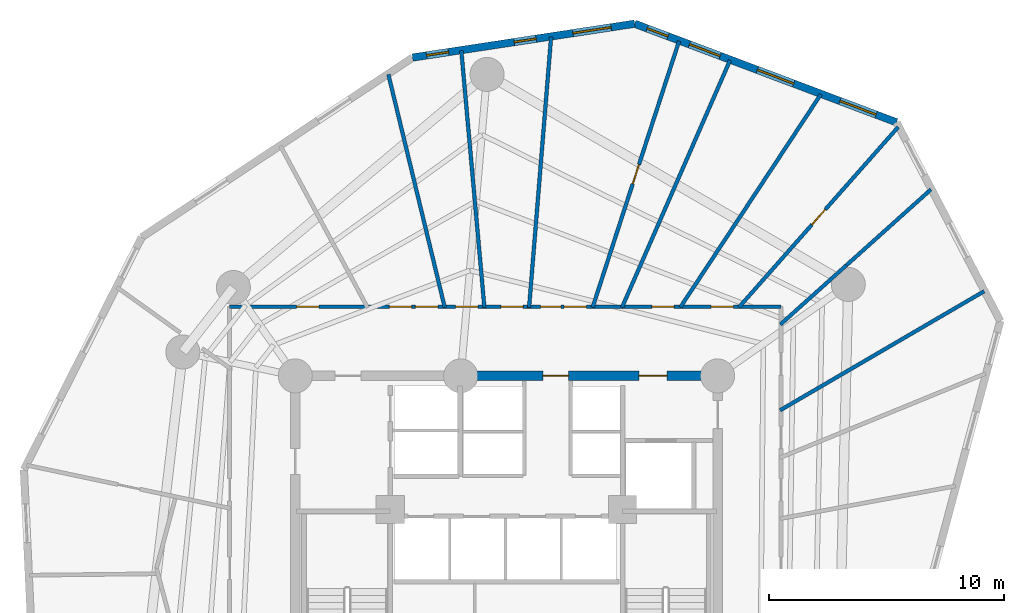
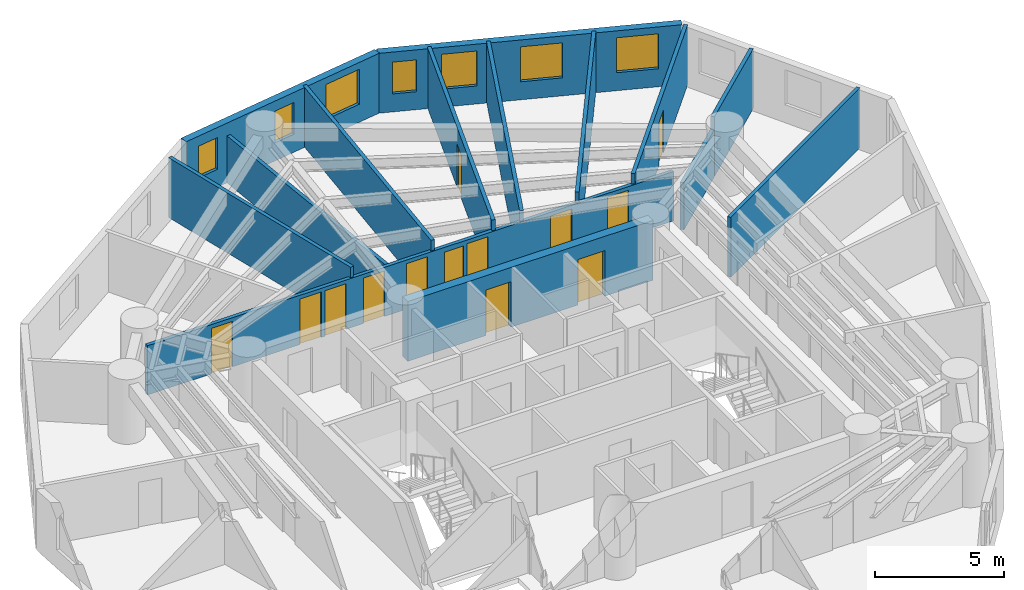
# One storey, part 6 of 8: 14 walls, 13 doors, 7 windows, 20 openings.
"""IFC4 building model written with IfcOpenShell, lengths in metres."""

from ifc_helpers import new_model, si_unit, direction, frame, frame_2d, origin, origin_with_axes, place, context, subcontext, project, spatial, rectangle, extrude, source, transform, mapped, material, layer, layer_set, type_object, element, fill, save


model = new_model("IFC4")

# Units and contexts
model_context = context("Model", 3, precision=1e-05, world=origin(), true_north=direction((0.0, 1.0)))
body_context = subcontext(model_context, "Body", "Model", "MODEL_VIEW")
ifc_project = project(units=[si_unit("LENGTHUNIT", "METRE"), si_unit("AREAUNIT", "SQUARE_METRE"), si_unit("VOLUMEUNIT", "CUBIC_METRE"), si_unit("PLANEANGLEUNIT", "RADIAN"), si_unit("MASSUNIT", "GRAM", prefix="KILO")], contexts=[model_context])

# Site, building, storey
site_placement = place(None, origin())
site = spatial("IfcSite", under=ifc_project, at=site_placement, CompositionType="ELEMENT")
building_placement = place(site_placement, origin())
building = spatial("IfcBuilding", under=site, at=building_placement, Name="Karkom Vertical University and Central Library", CompositionType="ELEMENT")
storey_placement = place(building_placement, frame((0.0, 0.0, 120.60009765625)))
storey = spatial("IfcBuildingStorey", under=building, at=storey_placement, Name="L33", CompositionType="ELEMENT", Elevation=120.60009765625)

# Wall, openings, windows
ifc_material_1 = material(Name="Brick-faced precast concrete C45/55", Category="masonry")
ifc_layer_1 = layer(ifc_material_1, 0.320068359375)
ifc_layer_set_1 = layer_set([ifc_layer_1], Name="Brick-faced precast concrete C45/55")
wall_type_1 = type_object("IfcWallType", Name="ENV-WL-BRK-320", PredefinedType="SOLIDWALL", material=ifc_layer_set_1)
wall_1_placement = place(storey_placement, frame((45.12890625, 45.510009765625, 0.0), z_axis=(0.0, 0.0, 1.0), x_axis=(-0.935899501217, 0.352267119701, 0.0)))
wall_1 = element("IfcWall", 1, at=wall_1_placement, inside=storey, type_object=wall_type_1, Name="Level 33 Brick-Faced Precast Facade Wall 10", PredefinedType="SOLIDWALL", context=body_context, shape_type="SweptSolid", body=[
    extrude(rectangle(XDim=11.92822265625, YDim=0.320068359375, at=frame_2d((5.964111328125, 0.0))), origin(), (0.0, 0.0, 1.0), 2.824951171875),
])
opening_1_placement = place(wall_1_placement, frame((0.9296875, 0.0, 0.85009765625)))
opening_1 = element("IfcOpeningElement", 2, at=opening_1_placement, cuts=wall_1, Name="Opening WN-06", PredefinedType="OPENING", context=body_context, shape_type="SweptSolid", body=[
    extrude(rectangle(XDim=1.64990234375, YDim=1.64990234375, at=frame_2d((0.824951171875, 0.824951171875))), frame((0.0, 0.169921875, 0.0), z_axis=(0.0, -1.0, 0.0), x_axis=(1.0, 0.0, 0.0)), (0.0, 0.0, 1.0), 0.340087890625),
])
opening_2_placement = place(wall_1_placement, frame((4.687744140625, 0.0, 0.85009765625)))
opening_2 = element("IfcOpeningElement", 3, at=opening_2_placement, cuts=wall_1, Name="Opening WN-06", PredefinedType="OPENING", context=body_context, shape_type="SweptSolid", body=[
    extrude(rectangle(XDim=1.64990234375, YDim=1.64990234375, at=frame_2d((0.824951171875, 0.824951171875))), frame((0.0, 0.169921875, 0.0), z_axis=(0.0, -1.0, 0.0), x_axis=(1.0, 0.0, 0.0)), (0.0, 0.0, 1.0), 0.340087890625),
])
opening_3_placement = place(wall_1_placement, frame((8.03515625, 0.0, 0.85009765625)))
opening_3 = element("IfcOpeningElement", 4, at=opening_3_placement, cuts=wall_1, Name="Opening WN-07", PredefinedType="OPENING", context=body_context, shape_type="SweptSolid", body=[
    extrude(rectangle(XDim=1.39990234375, YDim=1.64990234375, at=frame_2d((0.699951171875, 0.824951171875))), frame((0.0, 0.169921875, 0.0), z_axis=(0.0, -1.0, 0.0), x_axis=(1.0, 0.0, 0.0)), (0.0, 0.0, 1.0), 0.340087890625),
])
opening_4_placement = place(wall_1_placement, frame((10.406005859375, 0.0, 0.85009765625)))
opening_4 = element("IfcOpeningElement", 5, at=opening_4_placement, cuts=wall_1, Name="Opening WN-12", PredefinedType="OPENING", context=body_context, shape_type="SweptSolid", body=[
    extrude(rectangle(XDim=0.949951171875, YDim=1.5, at=frame_2d((0.47509765625, 0.75))), frame((0.0, 0.169921875, 0.0), z_axis=(0.0, -1.0, 0.0), x_axis=(1.0, 0.0, 0.0)), (0.0, 0.0, 1.0), 0.340087890625),
])
ifc_material_2 = material(Name="Aluminium thermal-break frame with solar-control IGU", Category="aluminium")
window_type_1 = type_object("IfcWindowType", Name="ENV-WIN-WN-06", PartitioningType="SINGLE_PANEL", PredefinedType="WINDOW", material=ifc_material_2)
shared_shape_1 = source(origin_with_axes(), body_context, "Body", "SweptSolid", [
    extrude(rectangle(XDim=1.64990234375, YDim=1.64990234375, at=frame_2d((0.824951171875, 0.824951171875))), frame((0.0, 0.030029296875, 0.0), z_axis=(0.0, -1.0, 0.0), x_axis=(1.0, 0.0, 0.0)), (0.0, 0.0, 1.0), 0.06005859375),
])
window_1_placement = place(opening_1_placement, origin())
window_1 = element("IfcWindow", 6, at=window_1_placement, inside=storey, type_object=window_type_1, Name="Level 33 Punched Window 10.1", OverallHeight=1.64990234375, OverallWidth=1.64990234375, PartitioningType="SINGLE_PANEL", PredefinedType="WINDOW", context=body_context, shape_type="MappedRepresentation", body=[
    mapped(shared_shape_1, transform((0.0, 0.0, 0.0), scale=1.0)),
])
fill(opening_1, window_1)
window_2_placement = place(opening_2_placement, origin())
window_2 = element("IfcWindow", 7, at=window_2_placement, inside=storey, type_object=window_type_1, Name="Level 33 Punched Window 10.2", OverallHeight=1.64990234375, OverallWidth=1.64990234375, PartitioningType="SINGLE_PANEL", PredefinedType="WINDOW", context=body_context, shape_type="MappedRepresentation", body=[
    mapped(shared_shape_1, transform((0.0, 0.0, 0.0), scale=1.0)),
])
fill(opening_2, window_2)
window_type_2 = type_object("IfcWindowType", Name="ENV-WIN-WN-12", PartitioningType="SINGLE_PANEL", PredefinedType="WINDOW", material=ifc_material_2)
shared_shape_2 = source(origin_with_axes(), body_context, "Body", "SweptSolid", [
    extrude(rectangle(XDim=0.949951171875, YDim=1.5, at=frame_2d((0.47509765625, 0.75))), frame((0.0, 0.030029296875, 0.0), z_axis=(0.0, -1.0, 0.0), x_axis=(1.0, 0.0, 0.0)), (0.0, 0.0, 1.0), 0.06005859375),
])
window_3_placement = place(opening_4_placement, origin())
window_3 = element("IfcWindow", 8, at=window_3_placement, inside=storey, type_object=window_type_2, Name="Level 33 Punched Window 10.4", OverallHeight=1.5, OverallWidth=0.949951171875, PartitioningType="SINGLE_PANEL", PredefinedType="WINDOW", context=body_context, shape_type="MappedRepresentation", body=[
    mapped(shared_shape_2, transform((0.0, 0.0, 0.0), scale=1.0)),
])
fill(opening_4, window_3)
window_type_3 = type_object("IfcWindowType", Name="ENV-WIN-WN-07", PartitioningType="SINGLE_PANEL", PredefinedType="WINDOW", material=ifc_material_2)
shared_shape_3 = source(origin_with_axes(), body_context, "Body", "SweptSolid", [
    extrude(rectangle(XDim=1.39990234375, YDim=1.64990234375, at=frame_2d((0.699951171875, 0.824951171875))), frame((0.0, 0.030029296875, 0.0), z_axis=(0.0, -1.0, 0.0), x_axis=(1.0, 0.0, 0.0)), (0.0, 0.0, 1.0), 0.06005859375),
])
window_4_placement = place(opening_3_placement, origin())
window_4 = element("IfcWindow", 9, at=window_4_placement, inside=storey, type_object=window_type_3, Name="Level 33 Punched Window 10.3", OverallHeight=1.64990234375, OverallWidth=1.39990234375, PartitioningType="SINGLE_PANEL", PredefinedType="WINDOW", context=body_context, shape_type="MappedRepresentation", body=[
    mapped(shared_shape_3, transform((0.0, 0.0, 0.0), scale=1.0)),
])
fill(opening_3, window_4)

wall_2_placement = place(storey_placement, frame((33.96533203125, 49.7119140625, 0.0), z_axis=(0.0, 0.0, 1.0), x_axis=(-0.988607459349, -0.15051674764, 0.0)))
wall_2 = element("IfcWall", 10, at=wall_2_placement, inside=storey, type_object=wall_type_1, Name="Level 33 Brick-Faced Precast Facade Wall 11", PredefinedType="SOLIDWALL", context=body_context, shape_type="SweptSolid", body=[
    extrude(rectangle(XDim=9.576416015625, YDim=0.320068359375, at=frame_2d((4.7880859375, 0.0))), origin(), (0.0, 0.0, 1.0), 2.824951171875),
])
opening_5_placement = place(wall_2_placement, frame((1.01220703125, 0.0, 0.85009765625)))
opening_5 = element("IfcOpeningElement", 11, at=opening_5_placement, cuts=wall_2, Name="Opening WN-06", PredefinedType="OPENING", context=body_context, shape_type="SweptSolid", body=[
    extrude(rectangle(XDim=1.64990234375, YDim=1.64990234375, at=frame_2d((0.824951171875, 0.824951171875))), frame((0.0, 0.169921875, 0.0), z_axis=(0.0, -1.0, 0.0), x_axis=(1.0, 0.0, 0.0)), (0.0, 0.0, 1.0), 0.340087890625),
])
opening_6_placement = place(wall_2_placement, frame((4.249755859375, 0.0, 0.85009765625)))
opening_6 = element("IfcOpeningElement", 12, at=opening_6_placement, cuts=wall_2, Name="Opening WN-12", PredefinedType="OPENING", context=body_context, shape_type="SweptSolid", body=[
    extrude(rectangle(XDim=0.949951171875, YDim=1.5, at=frame_2d((0.47509765625, 0.75))), frame((0.0, 0.169921875, 0.0), z_axis=(0.0, -1.0, 0.0), x_axis=(1.0, 0.0, 0.0)), (0.0, 0.0, 1.0), 0.340087890625),
])
opening_7_placement = place(wall_2_placement, frame((8.022705078125, 0.0, 0.85009765625)))
opening_7 = element("IfcOpeningElement", 13, at=opening_7_placement, cuts=wall_2, Name="Opening WN-12", PredefinedType="OPENING", context=body_context, shape_type="SweptSolid", body=[
    extrude(rectangle(XDim=0.949951171875, YDim=1.5, at=frame_2d((0.47509765625, 0.75))), frame((0.0, 0.169921875, 0.0), z_axis=(0.0, -1.0, 0.0), x_axis=(1.0, 0.0, 0.0)), (0.0, 0.0, 1.0), 0.340087890625),
])
window_5_placement = place(opening_5_placement, origin())
window_5 = element("IfcWindow", 14, at=window_5_placement, inside=storey, type_object=window_type_1, Name="Level 33 Punched Window 11.1", OverallHeight=1.64990234375, OverallWidth=1.64990234375, PartitioningType="SINGLE_PANEL", PredefinedType="WINDOW", context=body_context, shape_type="MappedRepresentation", body=[
    mapped(shared_shape_1, transform((0.0, 0.0, 0.0), scale=1.0)),
])
fill(opening_5, window_5)
window_6_placement = place(opening_6_placement, origin())
window_6 = element("IfcWindow", 15, at=window_6_placement, inside=storey, type_object=window_type_2, Name="Level 33 Punched Window 11.2", OverallHeight=1.5, OverallWidth=0.949951171875, PartitioningType="SINGLE_PANEL", PredefinedType="WINDOW", context=body_context, shape_type="MappedRepresentation", body=[
    mapped(shared_shape_2, transform((0.0, 0.0, 0.0), scale=1.0)),
])
fill(opening_6, window_6)
window_7_placement = place(opening_7_placement, origin())
window_7 = element("IfcWindow", 16, at=window_7_placement, inside=storey, type_object=window_type_2, Name="Level 33 Punched Window 11.3", OverallHeight=1.5, OverallWidth=0.949951171875, PartitioningType="SINGLE_PANEL", PredefinedType="WINDOW", context=body_context, shape_type="MappedRepresentation", body=[
    mapped(shared_shape_2, transform((0.0, 0.0, 0.0), scale=1.0)),
])
fill(opening_7, window_7)

# Wall, openings, doors
ifc_material_3 = material(Name="Insulated metal-stud drywall 160mm", Category="gypsum")
ifc_layer_2 = layer(ifc_material_3, 0.159912109375)
ifc_layer_set_2 = layer_set([ifc_layer_2], Name="Insulated metal-stud drywall 160mm")
wall_type_2 = type_object("IfcWallType", Name="INT-WL-COR-160", PredefinedType="PARTITIONING", material=ifc_layer_set_2)
wall_3_placement = place(storey_placement, frame((16.699951171875, 37.64990234375, 0.0), z_axis=(0.0, 0.0, 1.0), x_axis=(1.0, 0.0, 0.0)))
wall_3 = element("IfcWall", 17, at=wall_3_placement, inside=storey, type_object=wall_type_2, Name="Level 33 Interior Partition Wall L33-CORW-CW-003", PredefinedType="PARTITIONING", context=body_context, shape_type="SweptSolid", body=[
    extrude(rectangle(XDim=23.5, YDim=0.159912109375, at=frame_2d((11.75, 0.0))), origin(), (0.0, 0.0, 1.0), 2.324951171875),
])
opening_8_placement = place(wall_3_placement, frame((20.52587890625, 0.0, 0.0)))
opening_8 = element("IfcOpeningElement", 18, at=opening_8_placement, cuts=wall_3, Name="Opening D-RM1", PredefinedType="OPENING", context=body_context, shape_type="SweptSolid", body=[
    extrude(rectangle(XDim=0.949951171875, YDim=2.14990234375, at=frame_2d((0.47509765625, 1.074951171875))), frame((0.0, 0.08984375, 0.0), z_axis=(0.0, -1.0, 0.0), x_axis=(1.0, 0.0, 0.0)), (0.0, 0.0, 1.0), 0.179931640625),
])
opening_9_placement = place(wall_3_placement, frame((17.99658203125, 0.0, 0.0)))
opening_9 = element("IfcOpeningElement", 19, at=opening_9_placement, cuts=wall_3, Name="Opening D-RM1", PredefinedType="OPENING", context=body_context, shape_type="SweptSolid", body=[
    extrude(rectangle(XDim=0.949951171875, YDim=2.14990234375, at=frame_2d((0.47509765625, 1.074951171875))), frame((0.0, 0.08984375, 0.0), z_axis=(0.0, -1.0, 0.0), x_axis=(1.0, 0.0, 0.0)), (0.0, 0.0, 1.0), 0.179931640625),
])
opening_10_placement = place(wall_3_placement, frame((14.260009765625, 0.0, 0.0)))
opening_10 = element("IfcOpeningElement", 20, at=opening_10_placement, cuts=wall_3, Name="Opening D-RM1", PredefinedType="OPENING", context=body_context, shape_type="SweptSolid", body=[
    extrude(rectangle(XDim=0.949951171875, YDim=2.14990234375, at=frame_2d((0.47509765625, 1.074951171875))), frame((0.0, 0.08984375, 0.0), z_axis=(0.0, -1.0, 0.0), x_axis=(1.0, 0.0, 0.0)), (0.0, 0.0, 1.0), 0.179931640625),
])
opening_11_placement = place(wall_3_placement, frame((13.256103515625, 0.0, 0.0)))
opening_11 = element("IfcOpeningElement", 21, at=opening_11_placement, cuts=wall_3, Name="Opening D-BATH", PredefinedType="OPENING", context=body_context, shape_type="SweptSolid", body=[
    extrude(rectangle(XDim=0.860107421875, YDim=2.10009765625, at=frame_2d((0.43017578125, 1.050048828125))), frame((0.0, 0.08984375, 0.0), z_axis=(0.0, -1.0, 0.0), x_axis=(1.0, 0.0, 0.0)), (0.0, 0.0, 1.0), 0.179931640625),
])
opening_12_placement = place(wall_3_placement, frame((11.56005859375, 0.0, 0.0)))
opening_12 = element("IfcOpeningElement", 22, at=opening_12_placement, cuts=wall_3, Name="Opening D-RM1", PredefinedType="OPENING", context=body_context, shape_type="SweptSolid", body=[
    extrude(rectangle(XDim=0.949951171875, YDim=2.14990234375, at=frame_2d((0.47509765625, 1.074951171875))), frame((0.0, 0.08984375, 0.0), z_axis=(0.0, -1.0, 0.0), x_axis=(1.0, 0.0, 0.0)), (0.0, 0.0, 1.0), 0.179931640625),
])
opening_13_placement = place(wall_3_placement, frame((9.635009765625, 0.0, 0.0)))
opening_13 = element("IfcOpeningElement", 23, at=opening_13_placement, cuts=wall_3, Name="Opening D-RM1", PredefinedType="OPENING", context=body_context, shape_type="SweptSolid", body=[
    extrude(rectangle(XDim=0.949951171875, YDim=2.14990234375, at=frame_2d((0.47509765625, 1.074951171875))), frame((0.0, 0.08984375, 0.0), z_axis=(0.0, -1.0, 0.0), x_axis=(1.0, 0.0, 0.0)), (0.0, 0.0, 1.0), 0.179931640625),
])
opening_14_placement = place(wall_3_placement, frame((7.92236328125, 0.0, 0.0)))
opening_14 = element("IfcOpeningElement", 24, at=opening_14_placement, cuts=wall_3, Name="Opening D-RM1", PredefinedType="OPENING", context=body_context, shape_type="SweptSolid", body=[
    extrude(rectangle(XDim=0.949951171875, YDim=2.14990234375, at=frame_2d((0.47509765625, 1.074951171875))), frame((0.0, 0.08984375, 0.0), z_axis=(0.0, -1.0, 0.0), x_axis=(1.0, 0.0, 0.0)), (0.0, 0.0, 1.0), 0.179931640625),
])
opening_15_placement = place(wall_3_placement, frame((6.81005859375, 0.0, 0.0)))
opening_15 = element("IfcOpeningElement", 25, at=opening_15_placement, cuts=wall_3, Name="Opening D-RM1", PredefinedType="OPENING", context=body_context, shape_type="SweptSolid", body=[
    extrude(rectangle(XDim=0.949951171875, YDim=2.14990234375, at=frame_2d((0.47509765625, 1.074951171875))), frame((0.0, 0.08984375, 0.0), z_axis=(0.0, -1.0, 0.0), x_axis=(1.0, 0.0, 0.0)), (0.0, 0.0, 1.0), 0.179931640625),
])
opening_16_placement = place(wall_3_placement, frame((2.8564453125, 0.0, 0.0)))
opening_16 = element("IfcOpeningElement", 26, at=opening_16_placement, cuts=wall_3, Name="Opening D-RM1", PredefinedType="OPENING", context=body_context, shape_type="SweptSolid", body=[
    extrude(rectangle(XDim=0.949951171875, YDim=2.14990234375, at=frame_2d((0.47509765625, 1.074951171875))), frame((0.0, 0.08984375, 0.0), z_axis=(0.0, -1.0, 0.0), x_axis=(1.0, 0.0, 0.0)), (0.0, 0.0, 1.0), 0.179931640625),
])
ifc_material_4 = material(Name="Moisture-resistant oak door", Category="wood")
door_type_1 = type_object("IfcDoorType", Name="INT-DR-BATH", OperationType="NOTDEFINED", PredefinedType="DOOR", material=ifc_material_4)
shared_shape_4 = source(origin_with_axes(), body_context, "Body", "SweptSolid", [
    extrude(rectangle(XDim=0.860107421875, YDim=2.10009765625, at=frame_2d((0.43017578125, 1.050048828125))), frame((0.0, 0.02490234375, 0.0), z_axis=(0.0, -1.0, 0.0), x_axis=(1.0, 0.0, 0.0)), (0.0, 0.0, 1.0), 0.050048828125),
])
door_1_placement = place(opening_11_placement, origin())
door_1 = element("IfcDoor", 27, at=door_1_placement, inside=storey, type_object=door_type_1, Name="Level 33 Room Entry Door 190", OperationType="SINGLE_SWING_LEFT", OverallHeight=2.10009765625, OverallWidth=0.860107421875, PredefinedType="DOOR", context=body_context, shape_type="MappedRepresentation", body=[
    mapped(shared_shape_4, transform((0.0, 0.0, 0.0), scale=1.0)),
])
fill(opening_11, door_1)
ifc_material_5 = material(Name="Solid-core oak veneer door", Category="wood")
door_type_2 = type_object("IfcDoorType", Name="INT-DR-RM1", OperationType="NOTDEFINED", PredefinedType="DOOR", material=ifc_material_5)
shared_shape_5 = source(origin_with_axes(), body_context, "Body", "SweptSolid", [
    extrude(rectangle(XDim=0.949951171875, YDim=2.14990234375, at=frame_2d((0.47509765625, 1.074951171875))), frame((0.0, 0.02490234375, 0.0), z_axis=(0.0, -1.0, 0.0), x_axis=(1.0, 0.0, 0.0)), (0.0, 0.0, 1.0), 0.050048828125),
])
door_2_placement = place(opening_8_placement, origin())
door_2 = element("IfcDoor", 28, at=door_2_placement, inside=storey, type_object=door_type_2, Name="Level 33 Room Entry Door 160", OperationType="SINGLE_SWING_RIGHT", OverallHeight=2.14990234375, OverallWidth=0.949951171875, PredefinedType="DOOR", context=body_context, shape_type="MappedRepresentation", body=[
    mapped(shared_shape_5, transform((0.0, 0.0, 0.0), scale=1.0)),
])
fill(opening_8, door_2)
door_3_placement = place(opening_9_placement, origin())
door_3 = element("IfcDoor", 29, at=door_3_placement, inside=storey, type_object=door_type_2, Name="Level 33 Room Entry Door 170", OperationType="SINGLE_SWING_LEFT", OverallHeight=2.14990234375, OverallWidth=0.949951171875, PredefinedType="DOOR", context=body_context, shape_type="MappedRepresentation", body=[
    mapped(shared_shape_5, transform((0.0, 0.0, 0.0), scale=1.0)),
])
fill(opening_9, door_3)
door_4_placement = place(opening_10_placement, origin())
door_4 = element("IfcDoor", 30, at=door_4_placement, inside=storey, type_object=door_type_2, Name="Level 33 Room Entry Door 180", OperationType="SINGLE_SWING_RIGHT", OverallHeight=2.14990234375, OverallWidth=0.949951171875, PredefinedType="DOOR", context=body_context, shape_type="MappedRepresentation", body=[
    mapped(shared_shape_5, transform((0.0, 0.0, 0.0), scale=1.0)),
])
fill(opening_10, door_4)
door_5_placement = place(opening_12_placement, origin())
door_5 = element("IfcDoor", 31, at=door_5_placement, inside=storey, type_object=door_type_2, Name="Level 33 Room Entry Door 200", OperationType="SINGLE_SWING_RIGHT", OverallHeight=2.14990234375, OverallWidth=0.949951171875, PredefinedType="DOOR", context=body_context, shape_type="MappedRepresentation", body=[
    mapped(shared_shape_5, transform((0.0, 0.0, 0.0), scale=1.0)),
])
fill(opening_12, door_5)
door_6_placement = place(opening_13_placement, origin())
door_6 = element("IfcDoor", 32, at=door_6_placement, inside=storey, type_object=door_type_2, Name="Level 33 Room Entry Door 210", OperationType="SINGLE_SWING_LEFT", OverallHeight=2.14990234375, OverallWidth=0.949951171875, PredefinedType="DOOR", context=body_context, shape_type="MappedRepresentation", body=[
    mapped(shared_shape_5, transform((0.0, 0.0, 0.0), scale=1.0)),
])
fill(opening_13, door_6)
door_7_placement = place(opening_14_placement, origin())
door_7 = element("IfcDoor", 33, at=door_7_placement, inside=storey, type_object=door_type_2, Name="Level 33 Room Entry Door 220", OperationType="SINGLE_SWING_RIGHT", OverallHeight=2.14990234375, OverallWidth=0.949951171875, PredefinedType="DOOR", context=body_context, shape_type="MappedRepresentation", body=[
    mapped(shared_shape_5, transform((0.0, 0.0, 0.0), scale=1.0)),
])
fill(opening_14, door_7)
door_8_placement = place(opening_15_placement, origin())
door_8 = element("IfcDoor", 34, at=door_8_placement, inside=storey, type_object=door_type_2, Name="Level 33 Room Entry Door 230", OperationType="SINGLE_SWING_LEFT", OverallHeight=2.14990234375, OverallWidth=0.949951171875, PredefinedType="DOOR", context=body_context, shape_type="MappedRepresentation", body=[
    mapped(shared_shape_5, transform((0.0, 0.0, 0.0), scale=1.0)),
])
fill(opening_15, door_8)
door_9_placement = place(opening_16_placement, origin())
door_9 = element("IfcDoor", 35, at=door_9_placement, inside=storey, type_object=door_type_2, Name="Level 33 Room Entry Door 240", OperationType="SINGLE_SWING_RIGHT", OverallHeight=2.14990234375, OverallWidth=0.949951171875, PredefinedType="DOOR", context=body_context, shape_type="MappedRepresentation", body=[
    mapped(shared_shape_5, transform((0.0, 0.0, 0.0), scale=1.0)),
])
fill(opening_16, door_9)

# Wall, opening, door
wall_4_placement = place(storey_placement, frame((32.173583984375, 37.62158203125, 0.0), z_axis=(0.0, 0.0, 1.0), x_axis=(0.308779835482, 0.951133541202, 0.0)))
wall_4 = element("IfcWall", 36, at=wall_4_placement, inside=storey, type_object=wall_type_2, Name="Level 33 Interior Partition Wall L33-PW-027", PredefinedType="PARTITIONING", context=body_context, shape_type="SweptSolid", body=[
    extrude(rectangle(XDim=11.934326171875, YDim=0.159912109375, at=frame_2d((5.96728515625, 0.0))), origin(), (0.0, 0.0, 1.0), 2.824951171875),
])
opening_17_placement = place(wall_4_placement, frame((5.537109375, 0.0, 0.0)))
opening_17 = element("IfcOpeningElement", 37, at=opening_17_placement, cuts=wall_4, Name="Opening FD-BTH2", PredefinedType="OPENING", context=body_context, shape_type="SweptSolid", body=[
    extrude(rectangle(XDim=0.860107421875, YDim=2.0400390625, at=frame_2d((0.43017578125, 1.02001953125))), frame((0.0, 0.08984375, 0.0), z_axis=(0.0, -1.0, 0.0), x_axis=(1.0, 0.0, 0.0)), (0.0, 0.0, 1.0), 0.179931640625),
])
ifc_material_6 = material(Name="Fire-rated moisture-resistant oak door", Category="wood")
door_type_3 = type_object("IfcDoorType", Name="INT-DR-FBTH2", OperationType="NOTDEFINED", PredefinedType="DOOR", material=ifc_material_6)
shared_shape_6 = source(origin_with_axes(), body_context, "Body", "SweptSolid", [
    extrude(rectangle(XDim=0.860107421875, YDim=2.0400390625, at=frame_2d((0.43017578125, 1.02001953125))), frame((0.0, 0.02490234375, 0.0), z_axis=(0.0, -1.0, 0.0), x_axis=(1.0, 0.0, 0.0)), (0.0, 0.0, 1.0), 0.050048828125),
])
door_10_placement = place(opening_17_placement, origin())
door_10 = element("IfcDoor", 38, at=door_10_placement, inside=storey, type_object=door_type_3, Name="Level 33 University Bookshop and Print Market Entry Door", OperationType="SINGLE_SWING_LEFT", OverallHeight=2.0400390625, OverallWidth=0.860107421875, PredefinedType="DOOR", context=body_context, shape_type="MappedRepresentation", body=[
    mapped(shared_shape_6, transform((0.0, 0.0, 0.0), scale=1.0)),
])
fill(opening_17, door_10)

# Walls
wall_5_placement = place(storey_placement, frame((29.4658203125, 37.6201171875, 0.0), z_axis=(0.0, 0.0, 1.0), x_axis=(0.081157788051, 0.996701265896, 0.0)))
element("IfcWall", 39, at=wall_5_placement, inside=storey, type_object=wall_type_2, Name="Level 33 Interior Partition Wall L33-PW-028", PredefinedType="PARTITIONING", context=body_context, shape_type="SweptSolid", body=[
    extrude(rectangle(XDim=11.560546875, YDim=0.159912109375, at=frame_2d((5.7802734375, 0.0))), origin(), (0.0, 0.0, 1.0), 2.824951171875),
])
wall_6_placement = place(storey_placement, frame((33.42724609375, 37.62255859375, 0.0), z_axis=(0.0, 0.0, 1.0), x_axis=(0.400520201069, 0.916287928839, 0.0)))
element("IfcWall", 40, at=wall_6_placement, inside=storey, type_object=wall_type_2, Name="Level 33 Interior Partition Wall L33-PW-026", PredefinedType="PARTITIONING", context=body_context, shape_type="SweptSolid", body=[
    extrude(rectangle(XDim=11.494384765625, YDim=0.159912109375, at=frame_2d((5.7470703125, 0.0))), origin(), (0.0, 0.0, 1.0), 2.824951171875),
])
wall_7_placement = place(storey_placement, frame((27.560791015625, 37.6201171875, 0.0), z_axis=(0.0, 0.0, 1.0), x_axis=(-0.089517772365, 0.995985225006, 0.0)))
element("IfcWall", 41, at=wall_7_placement, inside=storey, type_object=wall_type_2, Name="Level 33 Interior Partition Wall L33-PW-029", PredefinedType="PARTITIONING", context=body_context, shape_type="SweptSolid", body=[
    extrude(rectangle(XDim=10.985595703125, YDim=0.159912109375, at=frame_2d((5.49267578125, 0.0))), origin(), (0.0, 0.0, 1.0), 2.224853515625),
])
wall_8_placement = place(storey_placement, frame((35.912353515625, 37.625, 0.0), z_axis=(0.0, 0.0, 1.0), x_axis=(0.550728613763, 0.83468436788, 0.0)))
element("IfcWall", 42, at=wall_8_placement, inside=storey, type_object=wall_type_2, Name="Level 33 Interior Partition Wall L33-PW-025", PredefinedType="PARTITIONING", context=body_context, shape_type="SweptSolid", body=[
    extrude(rectangle(XDim=10.869384765625, YDim=0.159912109375, at=frame_2d((5.4345703125, 0.0))), origin(), (0.0, 0.0, 1.0), 2.824951171875),
])

# Wall, opening, door
wall_9_placement = place(storey_placement, frame((38.410888671875, 37.62744140625, 0.0), z_axis=(0.0, 0.0, 1.0), x_axis=(0.662099537156, 0.749415907823, 0.0)))
wall_9 = element("IfcWall", 43, at=wall_9_placement, inside=storey, type_object=wall_type_2, Name="Level 33 Interior Partition Wall L33-PW-024", PredefinedType="PARTITIONING", context=body_context, shape_type="SweptSolid", body=[
    extrude(rectangle(XDim=10.253173828125, YDim=0.159912109375, at=frame_2d((5.12646484375, 0.0))), origin(), (0.0, 0.0, 1.0), 2.824951171875),
])
opening_18_placement = place(wall_9_placement, frame((4.696533203125, 0.0, 0.0)))
opening_18 = element("IfcOpeningElement", 44, at=opening_18_placement, cuts=wall_9, Name="Opening FD-BTH2", PredefinedType="OPENING", context=body_context, shape_type="SweptSolid", body=[
    extrude(rectangle(XDim=0.860107421875, YDim=2.0400390625, at=frame_2d((0.43017578125, 1.02001953125))), frame((0.0, 0.08984375, 0.0), z_axis=(0.0, -1.0, 0.0), x_axis=(1.0, 0.0, 0.0)), (0.0, 0.0, 1.0), 0.179931640625),
])
door_11_placement = place(opening_18_placement, origin())
door_11 = element("IfcDoor", 45, at=door_11_placement, inside=storey, type_object=door_type_3, Name="Level 33 University Bookshop and Print Market Entry Door", OperationType="SINGLE_SWING_RIGHT", OverallHeight=2.0400390625, OverallWidth=0.860107421875, PredefinedType="DOOR", context=body_context, shape_type="MappedRepresentation", body=[
    mapped(shared_shape_6, transform((0.0, 0.0, 0.0), scale=1.0)),
])
fill(opening_18, door_11)

# Walls
wall_10_placement = place(storey_placement, frame((25.87060546875, 37.620849609375, 0.0), z_axis=(0.0, 0.0, 1.0), x_axis=(-0.235186267157, 0.971950317527, 0.0)))
element("IfcWall", 46, at=wall_10_placement, inside=storey, type_object=wall_type_2, Name="Level 33 Interior Partition Wall L33-PW-030", PredefinedType="PARTITIONING", context=body_context, shape_type="SweptSolid", body=[
    extrude(rectangle(XDim=10.2177734375, YDim=0.159912109375, at=frame_2d((5.10888671875, 0.0))), origin(), (0.0, 0.0, 1.0), 2.824951171875),
])
wall_11_placement = place(storey_placement, frame((40.1611328125, 33.232666015625, 0.0), z_axis=(0.0, 0.0, 1.0), x_axis=(0.863774505842, 0.503878559832, 0.0)))
element("IfcWall", 47, at=wall_11_placement, inside=storey, type_object=wall_type_2, Name="Level 33 Interior Partition Wall L33-PW-021", PredefinedType="PARTITIONING", context=body_context, shape_type="SweptSolid", body=[
    extrude(rectangle(XDim=10.07373046875, YDim=0.159912109375, at=frame_2d((5.036865234375, 0.0))), origin(), (0.0, 0.0, 1.0), 2.824951171875),
])
wall_12_placement = place(storey_placement, frame((42.994873046875, 39.419921875, 0.0), z_axis=(0.0, 0.0, 1.0), x_axis=(0.744423138761, 0.667708162656, 0.0)))
element("IfcWall", 48, at=wall_12_placement, inside=storey, type_object=wall_type_2, Name="Level 33 Interior Partition Wall L33-PW-023", PredefinedType="PARTITIONING", context=body_context, shape_type="SweptSolid", body=[
    extrude(rectangle(XDim=4.834228515625, YDim=0.159912109375, at=frame_2d((2.4169921875, 0.0))), origin(), (0.0, 0.0, 1.0), 2.824951171875),
])
wall_13_placement = place(storey_placement, frame((40.177734375, 36.89306640625, 0.0), z_axis=(0.0, 0.0, 1.0), x_axis=(0.744404457494, 0.667728989683, 0.0)))
element("IfcWall", 49, at=wall_13_placement, inside=storey, type_object=wall_type_2, Name="Level 33 Interior Partition Wall L33-PW-022", PredefinedType="PARTITIONING", context=body_context, shape_type="SweptSolid", body=[
    extrude(rectangle(XDim=3.779541015625, YDim=0.159912109375, at=frame_2d((1.8896484375, 0.0))), origin(), (0.0, 0.0, 1.0), 2.224853515625),
])

# Wall, openings, doors
ifc_material_7 = material(Name="Concrete C50/60", Category="concrete")
ifc_layer_3 = layer(ifc_material_7, 0.39990234375)
ifc_layer_set_3 = layer_set([ifc_layer_3], Name="Concrete C50/60")
wall_type_3 = type_object("IfcWallType", Name="STR-WL-CW-400", PredefinedType="SHEAR", material=ifc_layer_set_3)
wall_14_placement = place(storey_placement, frame((37.5, 34.699951171875, 0.0), z_axis=(0.0, 0.0, 1.0), x_axis=(-1.0, 0.0, 0.0)))
wall_14 = element("IfcWall", 50, at=wall_14_placement, inside=storey, type_object=wall_type_3, Name="Level 33 Central Core Shear Wall NW1", PredefinedType="SHEAR", context=body_context, shape_type="SweptSolid", body=[
    extrude(rectangle(XDim=10.949951171875, YDim=0.39990234375, at=frame_2d((5.47509765625, 0.0))), origin(), (0.0, 0.0, 1.0), 2.824951171875),
])
opening_19_placement = place(wall_14_placement, frame((2.14990234375, 0.0, 0.0)))
opening_19 = element("IfcOpeningElement", 51, at=opening_19_placement, cuts=wall_14, Name="Opening FD-SUB1", PredefinedType="OPENING", context=body_context, shape_type="SweptSolid", body=[
    extrude(rectangle(XDim=1.199951171875, YDim=2.14990234375, at=frame_2d((0.60009765625, 1.074951171875))), frame((0.0, 0.2099609375, 0.0), z_axis=(0.0, -1.0, 0.0), x_axis=(1.0, 0.0, 0.0)), (0.0, 0.0, 1.0), 0.419921875),
])
opening_20_placement = place(wall_14_placement, frame((6.35009765625, 0.0, 0.0)))
opening_20 = element("IfcOpeningElement", 52, at=opening_20_placement, cuts=wall_14, Name="Opening FD-FFL", PredefinedType="OPENING", context=body_context, shape_type="SweptSolid", body=[
    extrude(rectangle(XDim=1.10009765625, YDim=2.14990234375, at=frame_2d((0.550048828125, 1.074951171875))), frame((0.0, 0.2099609375, 0.0), z_axis=(0.0, -1.0, 0.0), x_axis=(1.0, 0.0, 0.0)), (0.0, 0.0, 1.0), 0.419921875),
])
ifc_material_8 = material(Name="Painted steel smoke-seal fire door", Category="steel")
door_type_4 = type_object("IfcDoorType", Name="INT-DR-FFL", OperationType="NOTDEFINED", PredefinedType="DOOR", material=ifc_material_8)
shared_shape_7 = source(origin_with_axes(), body_context, "Body", "SweptSolid", [
    extrude(rectangle(XDim=1.10009765625, YDim=2.14990234375, at=frame_2d((0.550048828125, 1.074951171875))), frame((0.0, 0.02490234375, 0.0), z_axis=(0.0, -1.0, 0.0), x_axis=(1.0, 0.0, 0.0)), (0.0, 0.0, 1.0), 0.050048828125),
])
door_12_placement = place(opening_20_placement, origin())
door_12 = element("IfcDoor", 53, at=door_12_placement, inside=storey, type_object=door_type_4, Name="Level 33 North Core Lobby Exit Door", OperationType="SINGLE_SWING_RIGHT", OverallHeight=2.14990234375, OverallWidth=1.10009765625, PredefinedType="DOOR", context=body_context, shape_type="MappedRepresentation", body=[
    mapped(shared_shape_7, transform((0.0, 0.0, 0.0), scale=1.0)),
])
fill(opening_20, door_12)
ifc_material_9 = material(Name="Painted steel fire door", Category="steel")
door_type_5 = type_object("IfcDoorType", Name="INT-DR-SUB1", OperationType="NOTDEFINED", PredefinedType="DOOR", material=ifc_material_9)
shared_shape_8 = source(origin_with_axes(), body_context, "Body", "SweptSolid", [
    extrude(rectangle(XDim=1.199951171875, YDim=2.14990234375, at=frame_2d((0.60009765625, 1.074951171875))), frame((0.0, 0.02490234375, 0.0), z_axis=(0.0, -1.0, 0.0), x_axis=(1.0, 0.0, 0.0)), (0.0, 0.0, 1.0), 0.050048828125),
])
door_13_placement = place(opening_19_placement, origin())
door_13 = element("IfcDoor", 54, at=door_13_placement, inside=storey, type_object=door_type_5, Name="Level 33 Service Lobby Fire Door", OperationType="SINGLE_SWING_RIGHT", OverallHeight=2.14990234375, OverallWidth=1.199951171875, PredefinedType="DOOR", context=body_context, shape_type="MappedRepresentation", body=[
    mapped(shared_shape_8, transform((0.0, 0.0, 0.0), scale=1.0)),
])
fill(opening_19, door_13)

save(model, "model.ifc")
